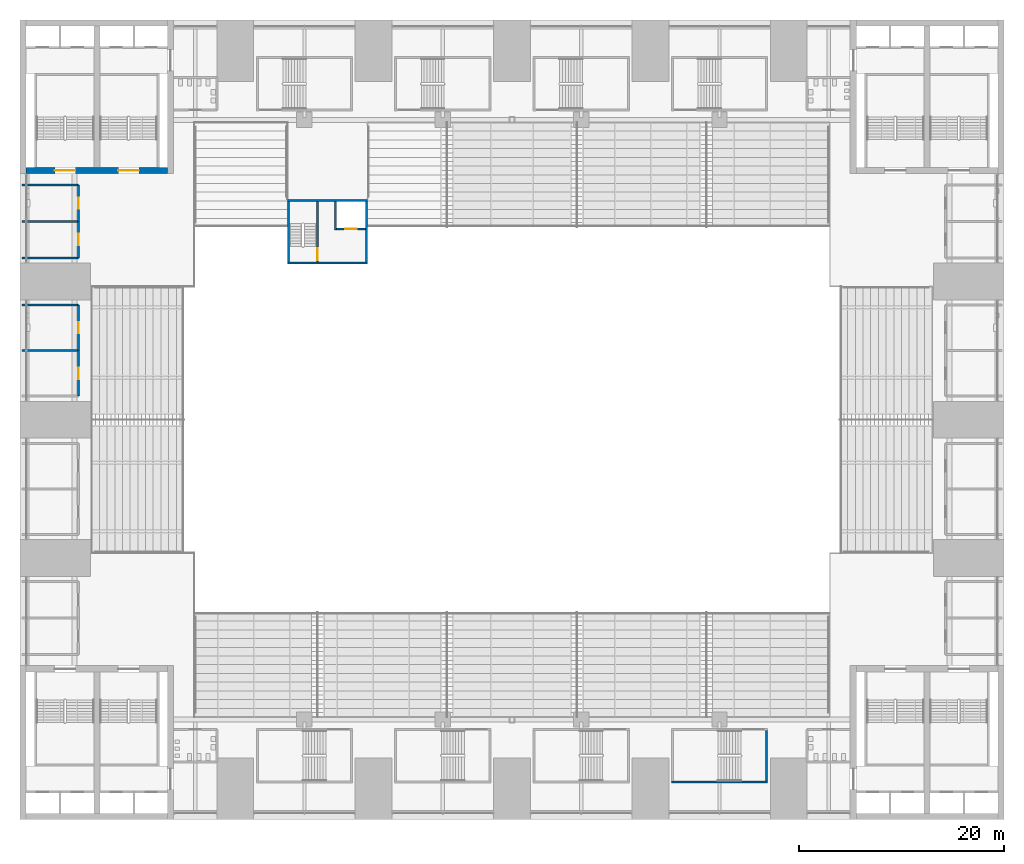
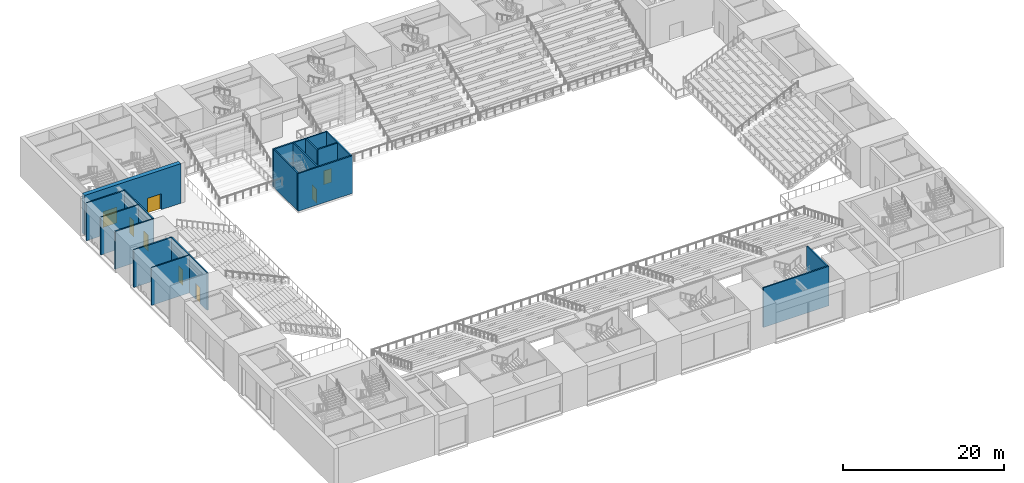
# One storey, part 30 of 61: 19 walls, 8 doors, 8 openings.
"""IFC4 building model written with IfcOpenShell, lengths in metres."""

from ifc_helpers import new_model, si_unit, direction, frame, frame_2d, origin, place, context, subcontext, project, spatial, rectangle, extrude, material, layer, layer_set, type_object, element, fill, save


model = new_model("IFC4")

# Units and contexts
model_context = context("Model", 3, precision=1e-05, world=origin(), true_north=direction((0.0, 1.0)))
body_context = subcontext(model_context, "Body", "Model", "MODEL_VIEW")
ifc_project = project(units=[si_unit("LENGTHUNIT", "METRE"), si_unit("AREAUNIT", "SQUARE_METRE"), si_unit("VOLUMEUNIT", "CUBIC_METRE"), si_unit("PLANEANGLEUNIT", "RADIAN"), si_unit("MASSUNIT", "GRAM", prefix="KILO")], contexts=[model_context])

# Site, building, storey
site_placement = place(None, origin())
site = spatial("IfcSite", under=ifc_project, at=site_placement, CompositionType="ELEMENT")
building_placement = place(site_placement, origin())
building = spatial("IfcBuilding", under=site, at=building_placement, Name="Corbelhall Arena Tower", CompositionType="ELEMENT")
storey_placement = place(building_placement, frame((0.0, 0.0, 31.0)))
storey = spatial("IfcBuildingStorey", under=building, at=storey_placement, Name="L04", CompositionType="ELEMENT", Elevation=31.0)

# Wall, opening, door
ifc_material_1 = material(Name="Gypsum board on steel studs", Category="steel")
ifc_layer_1 = layer(ifc_material_1, 0.199951171875)
ifc_layer_set_1 = layer_set([ifc_layer_1], Name="AR-ROOM-WALL")
wall_type_1 = type_object("IfcWallType", Name="AR-ROOM-WALL", PredefinedType="PARTITIONING", material=ifc_layer_set_1)
wall_1_placement = place(storey_placement, frame((-42.300048828125, 2.300048828125, 0.0), z_axis=(0.0, 0.0, 1.0), x_axis=(0.0, 1.0, 0.0)))
wall_1 = element("IfcWall", 1, at=wall_1_placement, inside=storey, type_object=wall_type_1, Name="Club lounge 5 wall", PredefinedType="PARTITIONING", context=body_context, shape_type="SweptSolid", body=[
    extrude(rectangle(XDim=4.449951171875, YDim=0.199951171875, at=frame_2d((2.22509765625, 0.0))), origin(), (0.0, 0.0, 1.0), 5.699951171875),
])
opening_1_placement = place(wall_1_placement, frame((1.675048828125, 0.0, 0.0)))
opening_1 = element("IfcOpeningElement", 2, at=opening_1_placement, cuts=wall_1, Name="Opening DA0427", PredefinedType="OPENING", context=body_context, shape_type="SweptSolid", body=[
    extrude(rectangle(XDim=1.10009765625, YDim=2.39990234375, at=frame_2d((0.550048828125, 1.199951171875))), frame((0.0, 0.10009765625, 0.0), z_axis=(0.0, -1.0, 0.0), x_axis=(1.0, 0.0, 0.0)), (0.0, 0.0, 1.0), 0.199951171875),
])
ifc_material_2 = material(Name="Timber", Category="wood")
door_type_1 = type_object("IfcDoorType", Name="AR-ROOM-DOOR", OperationType="DOUBLE_DOOR_SINGLE_SWING", PredefinedType="DOOR", material=ifc_material_2)
door_1_placement = place(opening_1_placement, origin())
door_1 = element("IfcDoor", 3, at=door_1_placement, inside=storey, type_object=door_type_1, Name="Club lounge 5 door", OperationType="DOUBLE_DOOR_SINGLE_SWING", OverallHeight=2.39990234375, OverallWidth=1.10009765625, PredefinedType="DOOR", context=body_context, shape_type="SweptSolid", body=[
    extrude(rectangle(XDim=1.10009765625, YDim=2.39990234375, at=frame_2d((0.550048828125, 1.199951171875))), frame((0.0, 0.02490234375, 0.0), z_axis=(0.0, -1.0, 0.0), x_axis=(1.0, 0.0, 0.0)), (0.0, 0.0, 1.0), 0.050048828125),
])
fill(opening_1, door_1)

# Wall
wall_2_placement = place(storey_placement, frame((-47.800048828125, 6.75, 0.0), z_axis=(0.0, 0.0, 1.0), x_axis=(1.0, 0.0, 0.0)))
element("IfcWall", 4, at=wall_2_placement, inside=storey, type_object=wall_type_1, Name="Club lounge 5 partition", PredefinedType="PARTITIONING", context=body_context, shape_type="SweptSolid", body=[
    extrude(rectangle(XDim=5.5, YDim=0.199951171875, at=frame_2d((2.75, 0.0))), origin(), (0.0, 0.0, 1.0), 5.699951171875),
])

# Wall, opening, door
wall_3_placement = place(storey_placement, frame((-42.300048828125, 6.75, 0.0), z_axis=(0.0, 0.0, 1.0), x_axis=(0.0, 1.0, 0.0)))
wall_3 = element("IfcWall", 5, at=wall_3_placement, inside=storey, type_object=wall_type_1, Name="Accessible WC 3 wall", PredefinedType="PARTITIONING", context=body_context, shape_type="SweptSolid", body=[
    extrude(rectangle(XDim=4.449951171875, YDim=0.199951171875, at=frame_2d((2.22509765625, 0.0))), origin(), (0.0, 0.0, 1.0), 5.699951171875),
])
opening_2_placement = place(wall_3_placement, frame((1.675048828125, 0.0, 0.0)))
opening_2 = element("IfcOpeningElement", 6, at=opening_2_placement, cuts=wall_3, Name="Opening DA0428", PredefinedType="OPENING", context=body_context, shape_type="SweptSolid", body=[
    extrude(rectangle(XDim=1.10009765625, YDim=2.39990234375, at=frame_2d((0.550048828125, 1.199951171875))), frame((0.0, 0.10009765625, 0.0), z_axis=(0.0, -1.0, 0.0), x_axis=(1.0, 0.0, 0.0)), (0.0, 0.0, 1.0), 0.199951171875),
])
door_2_placement = place(opening_2_placement, origin())
door_2 = element("IfcDoor", 7, at=door_2_placement, inside=storey, type_object=door_type_1, Name="Accessible WC 3 door", OperationType="DOUBLE_DOOR_SINGLE_SWING", OverallHeight=2.39990234375, OverallWidth=1.10009765625, PredefinedType="DOOR", context=body_context, shape_type="SweptSolid", body=[
    extrude(rectangle(XDim=1.10009765625, YDim=2.39990234375, at=frame_2d((0.550048828125, 1.199951171875))), frame((0.0, 0.02490234375, 0.0), z_axis=(0.0, -1.0, 0.0), x_axis=(1.0, 0.0, 0.0)), (0.0, 0.0, 1.0), 0.050048828125),
])
fill(opening_2, door_2)

# Wall
wall_4_placement = place(storey_placement, frame((-42.300048828125, 11.199951171875, 0.0), z_axis=(0.0, 0.0, 1.0), x_axis=(-1.0, 0.0, 0.0)))
element("IfcWall", 8, at=wall_4_placement, inside=storey, type_object=wall_type_1, Name="Accessible WC 3 end wall", PredefinedType="PARTITIONING", context=body_context, shape_type="SweptSolid", body=[
    extrude(rectangle(XDim=5.5, YDim=0.199951171875, at=frame_2d((2.75, 0.0))), origin(), (0.0, 0.0, 1.0), 5.699951171875),
])

# Wall, opening, door
wall_5_placement = place(storey_placement, frame((-42.300048828125, 15.800048828125, 0.0), z_axis=(0.0, 0.0, 1.0), x_axis=(0.0, 1.0, 0.0)))
wall_5 = element("IfcWall", 9, at=wall_5_placement, inside=storey, type_object=wall_type_1, Name="Club lounge 7 wall", PredefinedType="PARTITIONING", context=body_context, shape_type="SweptSolid", body=[
    extrude(rectangle(XDim=3.550048828125, YDim=0.199951171875, at=frame_2d((1.77490234375, 0.0))), origin(), (0.0, 0.0, 1.0), 5.699951171875),
])
opening_3_placement = place(wall_5_placement, frame((1.22509765625, 0.0, 0.0)))
opening_3 = element("IfcOpeningElement", 10, at=opening_3_placement, cuts=wall_5, Name="Opening DA0431", PredefinedType="OPENING", context=body_context, shape_type="SweptSolid", body=[
    extrude(rectangle(XDim=1.10009765625, YDim=2.39990234375, at=frame_2d((0.550048828125, 1.199951171875))), frame((0.0, 0.10009765625, 0.0), z_axis=(0.0, -1.0, 0.0), x_axis=(1.0, 0.0, 0.0)), (0.0, 0.0, 1.0), 0.199951171875),
])
door_3_placement = place(opening_3_placement, origin())
door_3 = element("IfcDoor", 11, at=door_3_placement, inside=storey, type_object=door_type_1, Name="Club lounge 7 door", OperationType="DOUBLE_DOOR_SINGLE_SWING", OverallHeight=2.39990234375, OverallWidth=1.10009765625, PredefinedType="DOOR", context=body_context, shape_type="SweptSolid", body=[
    extrude(rectangle(XDim=1.10009765625, YDim=2.39990234375, at=frame_2d((0.550048828125, 1.199951171875))), frame((0.0, 0.02490234375, 0.0), z_axis=(0.0, -1.0, 0.0), x_axis=(1.0, 0.0, 0.0)), (0.0, 0.0, 1.0), 0.050048828125),
])
fill(opening_3, door_3)

# Walls
for number, where, z_axis, x_axis, name in (
    (12, (-42.300048828125, 15.800048828125, 0.0), (0.0, 0.0, 1.0), (-1.0, 0.0, 0.0), "Club lounge 7 end wall"),
    (13, (-47.800048828125, 19.35009765625, 0.0), (0.0, 0.0, 1.0), (1.0, 0.0, 0.0), "Club lounge 7 partition"),
):
    element("IfcWall", number, at=place(storey_placement, frame(where, z_axis=z_axis, x_axis=x_axis)), inside=storey, type_object=wall_type_1, Name=name, PredefinedType="PARTITIONING", context=body_context, shape_type="SweptSolid", body=[
        extrude(rectangle(XDim=5.5, YDim=0.199951171875, at=frame_2d((2.75, 0.0))), origin(), (0.0, 0.0, 1.0), 5.699951171875),
    ])

# Wall, opening, door
wall_6_placement = place(storey_placement, frame((-42.300048828125, 19.35009765625, 0.0), z_axis=(0.0, 0.0, 1.0), x_axis=(0.0, 1.0, 0.0)))
wall_6 = element("IfcWall", 14, at=wall_6_placement, inside=storey, type_object=wall_type_1, Name="Accessible WC 4 wall", PredefinedType="PARTITIONING", context=body_context, shape_type="SweptSolid", body=[
    extrude(rectangle(XDim=3.5498046875, YDim=0.199951171875, at=frame_2d((1.77490234375, 0.0))), origin(), (0.0, 0.0, 1.0), 5.699951171875),
])
opening_4_placement = place(wall_6_placement, frame((1.22509765625, 0.0, 0.0)))
opening_4 = element("IfcOpeningElement", 15, at=opening_4_placement, cuts=wall_6, Name="Opening DA0432", PredefinedType="OPENING", context=body_context, shape_type="SweptSolid", body=[
    extrude(rectangle(XDim=1.10009765625, YDim=2.39990234375, at=frame_2d((0.550048828125, 1.199951171875))), frame((0.0, 0.10009765625, 0.0), z_axis=(0.0, -1.0, 0.0), x_axis=(1.0, 0.0, 0.0)), (0.0, 0.0, 1.0), 0.199951171875),
])
door_4_placement = place(opening_4_placement, origin())
door_4 = element("IfcDoor", 16, at=door_4_placement, inside=storey, type_object=door_type_1, Name="Accessible WC 4 door", OperationType="DOUBLE_DOOR_SINGLE_SWING", OverallHeight=2.39990234375, OverallWidth=1.10009765625, PredefinedType="DOOR", context=body_context, shape_type="SweptSolid", body=[
    extrude(rectangle(XDim=1.10009765625, YDim=2.39990234375, at=frame_2d((0.550048828125, 1.199951171875))), frame((0.0, 0.02490234375, 0.0), z_axis=(0.0, -1.0, 0.0), x_axis=(1.0, 0.0, 0.0)), (0.0, 0.0, 1.0), 0.050048828125),
])
fill(opening_4, door_4)

# Walls
wall_7_placement = place(storey_placement, frame((-42.300048828125, 22.89990234375, 0.0), z_axis=(0.0, 0.0, 1.0), x_axis=(-1.0, 0.0, 0.0)))
element("IfcWall", 17, at=wall_7_placement, inside=storey, type_object=wall_type_1, Name="Accessible WC 4 end wall", PredefinedType="PARTITIONING", context=body_context, shape_type="SweptSolid", body=[
    extrude(rectangle(XDim=5.5, YDim=0.199951171875, at=frame_2d((2.75, 0.0))), origin(), (0.0, 0.0, 1.0), 5.699951171875),
])
ifc_material_3 = material(Name="Reinforced concrete C40/50", Category="concrete")
ifc_layer_2 = layer(ifc_material_3, 0.199951171875)
ifc_layer_set_2 = layer_set([ifc_layer_2], Name="AR-STAIR-WALL")
wall_type_2 = type_object("IfcWallType", Name="AR-STAIR-WALL", PredefinedType="SOLIDWALL", material=ifc_layer_set_2)
wall_8_placement = place(storey_placement, frame((15.550048828125, -35.35009765625, 0.0), z_axis=(0.0, 0.0, 1.0), x_axis=(1.0, 0.0, 0.0)))
element("IfcWall", 18, at=wall_8_placement, inside=storey, type_object=wall_type_2, Name="Stair AS16 wall", PredefinedType="SOLIDWALL", context=body_context, shape_type="SweptSolid", body=[
    extrude(rectangle(XDim=9.39990234375, YDim=0.199951171875, at=frame_2d((4.699951171875, 0.0))), origin(), (0.0, 0.0, 1.0), 6.0),
])
wall_9_placement = place(storey_placement, frame((24.85009765625, -35.25, 0.0), z_axis=(0.0, 0.0, 1.0), x_axis=(0.0, 1.0, 0.0)))
element("IfcWall", 19, at=wall_9_placement, inside=storey, type_object=wall_type_2, Name="Stair AS16 wall", PredefinedType="SOLIDWALL", context=body_context, shape_type="SweptSolid", body=[
    extrude(rectangle(XDim=4.949951171875, YDim=0.199951171875, at=frame_2d((2.47509765625, 0.0))), origin(), (0.0, 0.0, 1.0), 6.0),
])
ifc_material_4 = material(Name="Concrete C40/50", Category="concrete")
ifc_layer_3 = layer(ifc_material_4, 0.199951171875)
ifc_layer_set_3 = layer_set([ifc_layer_3], Name="IN-W-EAR200")
wall_type_3 = type_object("IfcWallType", Name="IN-W-EAR200", PredefinedType="SOLIDWALL", material=ifc_layer_set_3)
for number, where, z_axis, x_axis, name in (
    (20, (-21.89990234375, 15.300048828125, 0.0), (0.0, 0.0, 1.0), (1.0, 0.0, 0.0), "Fire service turret wall south"),
    (21, (-21.89990234375, 21.39990234375, 0.0), (0.0, 0.0, 1.0), (1.0, 0.0, 0.0), "Fire service turret wall north"),
):
    element("IfcWall", number, at=place(storey_placement, frame(where, z_axis=z_axis, x_axis=x_axis)), inside=storey, type_object=wall_type_3, Name=name, PredefinedType="SOLIDWALL", context=body_context, shape_type="SweptSolid", body=[
        extrude(rectangle(XDim=7.7998046875, YDim=0.199951171875, at=frame_2d((3.89990234375, 0.0))), origin(), (0.0, 0.0, 1.0), 5.699951171875),
    ])
for number, where, z_axis, x_axis, name in (
    (22, (-21.800048828125, 15.39990234375, 0.0), (0.0, 0.0, 1.0), (0.0, 1.0, 0.0), "Fire service turret wall west"),
    (23, (-14.199951171875, 15.39990234375, 0.0), (0.0, 0.0, 1.0), (0.0, 1.0, 0.0), "Fire service turret wall east"),
):
    element("IfcWall", number, at=place(storey_placement, frame(where, z_axis=z_axis, x_axis=x_axis)), inside=storey, type_object=wall_type_3, Name=name, PredefinedType="SOLIDWALL", context=body_context, shape_type="SweptSolid", body=[
        extrude(rectangle(XDim=5.900146484375, YDim=0.199951171875, at=frame_2d((2.9501953125, 0.0))), origin(), (0.0, 0.0, 1.0), 5.699951171875),
    ])

# Wall, opening, door
wall_10_placement = place(storey_placement, frame((-18.989990234375, 15.39990234375, 0.0), z_axis=(0.0, 0.0, 1.0), x_axis=(0.0, 1.0, 0.0)))
wall_10 = element("IfcWall", 24, at=wall_10_placement, inside=storey, type_object=wall_type_3, Name="Fire service turret wall stair", PredefinedType="SOLIDWALL", context=body_context, shape_type="SweptSolid", body=[
    extrude(rectangle(XDim=5.900146484375, YDim=0.199951171875, at=frame_2d((2.9501953125, 0.0))), origin(), (0.0, 0.0, 1.0), 5.699951171875),
])
opening_5_placement = place(wall_10_placement, frame((0.14990234375, 0.0, 0.0)))
opening_5 = element("IfcOpeningElement", 25, at=opening_5_placement, cuts=wall_10, Name="Opening E041", PredefinedType="OPENING", context=body_context, shape_type="SweptSolid", body=[
    extrude(rectangle(XDim=1.199951171875, YDim=2.10009765625, at=frame_2d((0.60009765625, 1.050048828125))), frame((0.0, 0.10009765625, 0.0), z_axis=(0.0, -1.0, 0.0), x_axis=(1.0, 0.0, 0.0)), (0.0, 0.0, 1.0), 0.199951171875),
])
ifc_material_5 = material(Name="Steel door set", Category="steel")
door_type_2 = type_object("IfcDoorType", Name="IN-D-ST120", OperationType="NOTDEFINED", PredefinedType="DOOR", material=ifc_material_5)
door_5_placement = place(opening_5_placement, origin())
door_5 = element("IfcDoor", 26, at=door_5_placement, inside=storey, type_object=door_type_2, Name="Stair door to fire service lobby", OperationType="SINGLE_SWING_LEFT", OverallHeight=2.10009765625, OverallWidth=1.199951171875, PredefinedType="DOOR", context=body_context, shape_type="SweptSolid", body=[
    extrude(rectangle(XDim=1.199951171875, YDim=2.10009765625, at=frame_2d((0.60009765625, 1.050048828125))), frame((0.0, 0.02490234375, 0.0), z_axis=(0.0, -1.0, 0.0), x_axis=(1.0, 0.0, 0.0)), (0.0, 0.0, 1.0), 0.050048828125),
])
fill(opening_5, door_5)

# Wall
wall_11_placement = place(storey_placement, frame((-17.199951171875, 18.5, 0.0), z_axis=(0.0, 0.0, 1.0), x_axis=(0.0, 1.0, 0.0)))
element("IfcWall", 27, at=wall_11_placement, inside=storey, type_object=wall_type_3, Name="Fire service turret wall hoistway west", PredefinedType="SOLIDWALL", context=body_context, shape_type="SweptSolid", body=[
    extrude(rectangle(XDim=2.800048828125, YDim=0.199951171875, at=frame_2d((1.39990234375, 0.0))), origin(), (0.0, 0.0, 1.0), 5.699951171875),
])

# Wall, opening, door
wall_12_placement = place(storey_placement, frame((-17.10009765625, 18.60009765625, 0.0), z_axis=(0.0, 0.0, 1.0), x_axis=(1.0, 0.0, 0.0)))
wall_12 = element("IfcWall", 28, at=wall_12_placement, inside=storey, type_object=wall_type_3, Name="Fire service turret wall hoistway south", PredefinedType="SOLIDWALL", context=body_context, shape_type="SweptSolid", body=[
    extrude(rectangle(XDim=2.800048828125, YDim=0.199951171875, at=frame_2d((1.39990234375, 0.0))), origin(), (0.0, 0.0, 1.0), 5.699951171875),
])
opening_6_placement = place(wall_12_placement, frame((0.85009765625, 0.0, 0.0)))
opening_6 = element("IfcOpeningElement", 29, at=opening_6_placement, cuts=wall_12, Name="Opening LD", PredefinedType="OPENING", context=body_context, shape_type="SweptSolid", body=[
    extrude(rectangle(XDim=1.10009765625, YDim=2.10009765625, at=frame_2d((0.550048828125, 1.050048828125))), frame((0.0, 0.10009765625, 0.0), z_axis=(0.0, -1.0, 0.0), x_axis=(1.0, 0.0, 0.0)), (0.0, 0.0, 1.0), 0.199951171875),
])
door_type_3 = type_object("IfcDoorType", Name="IN-D-LD110", OperationType="NOTDEFINED", PredefinedType="DOOR", material=ifc_material_5)
door_6_placement = place(opening_6_placement, origin())
door_6 = element("IfcDoor", 30, at=door_6_placement, inside=storey, type_object=door_type_3, Name="Landing door FS1", OperationType="SLIDING_TO_LEFT", OverallHeight=2.10009765625, OverallWidth=1.10009765625, PredefinedType="DOOR", context=body_context, shape_type="SweptSolid", body=[
    extrude(rectangle(XDim=1.10009765625, YDim=2.10009765625, at=frame_2d((0.550048828125, 1.050048828125))), frame((0.0, 0.02490234375, 0.0), z_axis=(0.0, -1.0, 0.0), x_axis=(1.0, 0.0, 0.0)), (0.0, 0.0, 1.0), 0.050048828125),
])
fill(opening_6, door_6)

# Wall, openings, doors
ifc_material_6 = material(Name="Concrete C80/95", Category="concrete")
ifc_layer_4 = layer(ifc_material_6, 0.60009765625)
ifc_layer_set_4 = layer_set([ifc_layer_4], Name="PO-CORE-WALL")
wall_type_4 = type_object("IfcWallType", Name="PO-CORE-WALL", PredefinedType="SHEAR", material=ifc_layer_set_4)
wall_13_placement = place(storey_placement, frame((-47.39990234375, 24.300048828125, 0.0), z_axis=(0.0, 0.0, 1.0), x_axis=(1.0, 0.0, 0.0)))
wall_13 = element("IfcWall", 31, at=wall_13_placement, inside=storey, type_object=wall_type_4, Name="CORE NW WALL S L04", PredefinedType="SHEAR", context=body_context, shape_type="SweptSolid", body=[
    extrude(rectangle(XDim=13.7998046875, YDim=0.60009765625, at=frame_2d((6.89990234375, 0.0))), origin(), (0.0, 0.0, 1.0), 6.0),
])
opening_7_placement = place(wall_13_placement, frame((8.9951171875, 0.0, 0.0)))
opening_7 = element("IfcOpeningElement", 32, at=opening_7_placement, cuts=wall_13, Name="Opening DA0073", PredefinedType="OPENING", context=body_context, shape_type="SweptSolid", body=[
    extrude(rectangle(XDim=2.0, YDim=2.39990234375, at=frame_2d((1.0, 1.199951171875))), frame((0.0, 0.300048828125, 0.0), z_axis=(0.0, -1.0, 0.0), x_axis=(1.0, 0.0, 0.0)), (0.0, 0.0, 1.0), 0.60009765625),
])
opening_8_placement = place(wall_13_placement, frame((2.804931640625, 0.0, 0.0)))
opening_8 = element("IfcOpeningElement", 33, at=opening_8_placement, cuts=wall_13, Name="Opening DA0081", PredefinedType="OPENING", context=body_context, shape_type="SweptSolid", body=[
    extrude(rectangle(XDim=2.0, YDim=2.39990234375, at=frame_2d((1.0, 1.199951171875))), frame((0.0, 0.300048828125, 0.0), z_axis=(0.0, -1.0, 0.0), x_axis=(1.0, 0.0, 0.0)), (0.0, 0.0, 1.0), 0.60009765625),
])
ifc_material_7 = material(Name="Steel and glass", Category="steel")
door_type_4 = type_object("IfcDoorType", Name="AR-STAIR-DOOR", OperationType="DOUBLE_DOOR_SINGLE_SWING", PredefinedType="DOOR", material=ifc_material_7)
door_7_placement = place(opening_7_placement, origin())
door_7 = element("IfcDoor", 34, at=door_7_placement, inside=storey, type_object=door_type_4, Name="Stair AS3 door", OperationType="DOUBLE_DOOR_SINGLE_SWING", OverallHeight=2.39990234375, OverallWidth=2.0, PredefinedType="DOOR", context=body_context, shape_type="SweptSolid", body=[
    extrude(rectangle(XDim=2.0, YDim=2.39990234375, at=frame_2d((1.0, 1.199951171875))), frame((0.0, 0.02490234375, 0.0), z_axis=(0.0, -1.0, 0.0), x_axis=(1.0, 0.0, 0.0)), (0.0, 0.0, 1.0), 0.050048828125),
])
fill(opening_7, door_7)
door_8_placement = place(opening_8_placement, origin())
door_8 = element("IfcDoor", 35, at=door_8_placement, inside=storey, type_object=door_type_4, Name="Stair AS4 door", OperationType="DOUBLE_DOOR_SINGLE_SWING", OverallHeight=2.39990234375, OverallWidth=2.0, PredefinedType="DOOR", context=body_context, shape_type="SweptSolid", body=[
    extrude(rectangle(XDim=2.0, YDim=2.39990234375, at=frame_2d((1.0, 1.199951171875))), frame((0.0, 0.02490234375, 0.0), z_axis=(0.0, -1.0, 0.0), x_axis=(1.0, 0.0, 0.0)), (0.0, 0.0, 1.0), 0.050048828125),
])
fill(opening_8, door_8)

save(model, "model.ifc")
